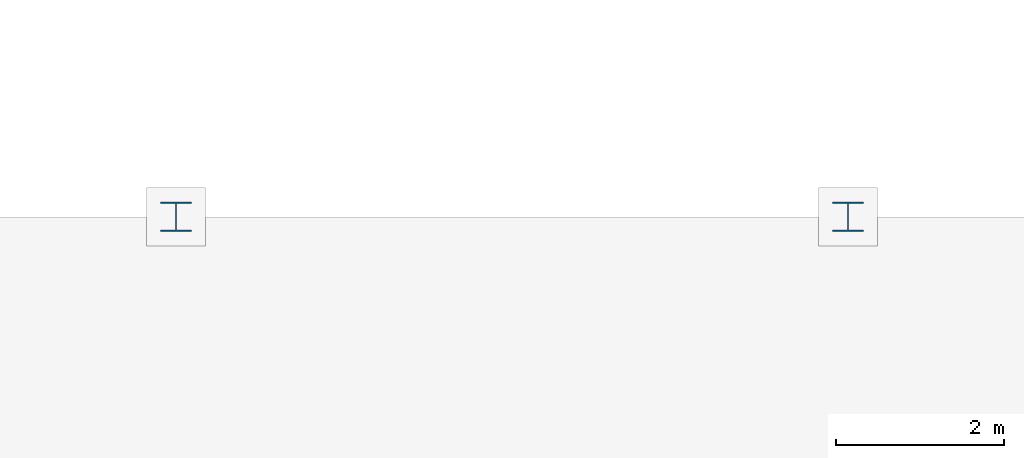
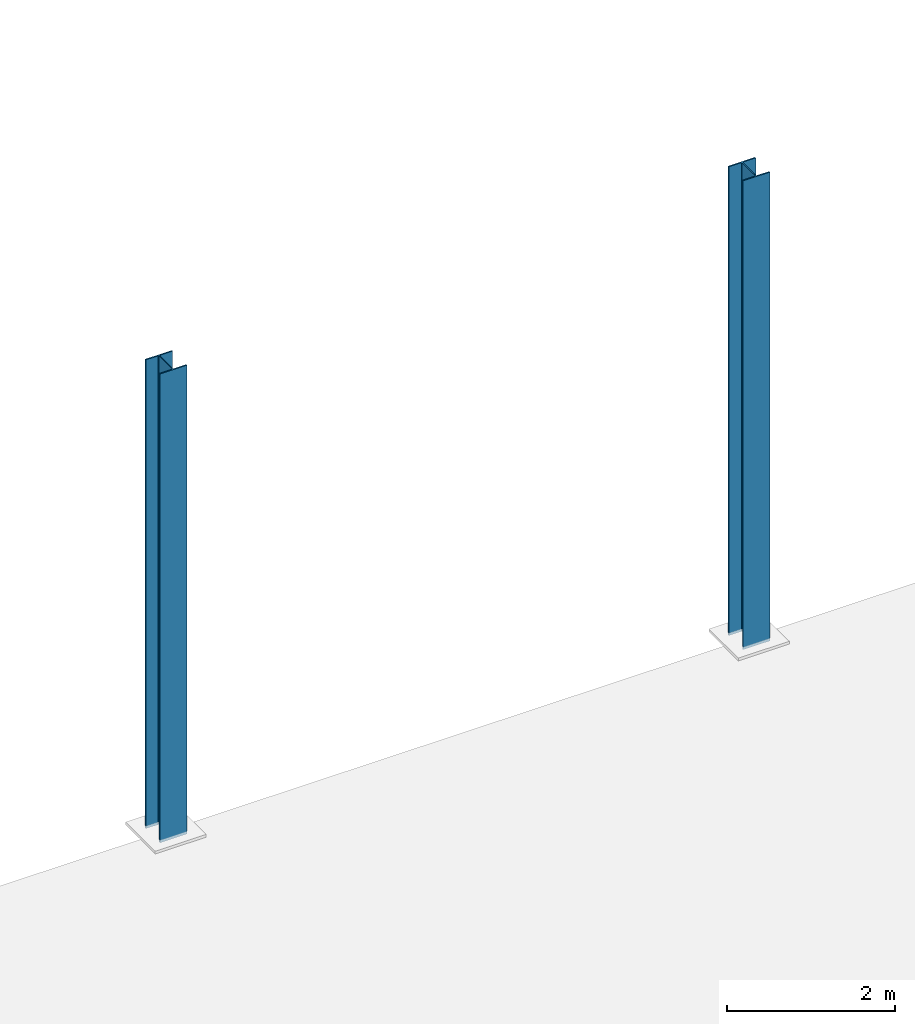
# One storey, part 16 of 140: 2 columns.
"""IFC4 building model written with IfcOpenShell, lengths in metres."""

from ifc_helpers import new_model, si_unit, direction, frame, origin, origin_2d, place, context, subcontext, project, spatial, i_section, extrude, material, material_profile, profile_set, type_object, element, save


model = new_model("IFC4")

# Units and contexts
model_context = context("Model", 3, precision=1e-05, world=origin(), true_north=direction((0.0, 1.0)))
body_context = subcontext(model_context, "Body", "Model", "MODEL_VIEW")
ifc_project = project(units=[si_unit("LENGTHUNIT", "METRE"), si_unit("AREAUNIT", "SQUARE_METRE"), si_unit("VOLUMEUNIT", "CUBIC_METRE"), si_unit("PLANEANGLEUNIT", "RADIAN"), si_unit("MASSUNIT", "GRAM", prefix="KILO")], contexts=[model_context])

# Site, building, storey
site_placement = place(None, origin())
site = spatial("IfcSite", under=ifc_project, at=site_placement, CompositionType="ELEMENT")
building_placement = place(site_placement, origin())
building = spatial("IfcBuilding", under=site, at=building_placement, Name="Verrall Gate Interchange", CompositionType="ELEMENT")
storey_placement = place(building_placement, origin())
storey = spatial("IfcBuildingStorey", under=building, at=storey_placement, Name="L01", CompositionType="ELEMENT", Elevation=0.0)

# Columns
ifc_material = material(Name="Structural Steel CSA G40.21 350W", Category="steel")
ifc_material_profile = material_profile(ifc_material, i_section(OverallWidth=0.368896484375, OverallDepth=0.35595703125, WebThickness=0.01123046875, FlangeThickness=0.01806640625, FilletRadius=0.014892578125, at=origin_2d()), Name="W360x134")
ifc_profile_set = profile_set([ifc_material_profile], Name="Structural Steel CSA G40.21 350W")
column_type = type_object("IfcColumnType", Name="C-08 Column W360x134", PredefinedType="COLUMN", material=ifc_profile_set)
for number, where, z_axis, x_axis, name in (
    (1, (116.0, 104.0, 0.0), (0.0, 0.0, 1.0), (1.0, 0.0, 0.0), "Bus Concourse Steel Column 1630"),
    (2, (124.0, 104.0, 0.0), (0.0, 0.0, 1.0), (1.0, 0.0, 0.0), "Bus Concourse Steel Column 1632"),
):
    element("IfcColumn", number, at=place(storey_placement, frame(where, z_axis=z_axis, x_axis=x_axis)), inside=storey, type_object=column_type, Name=name, PredefinedType="COLUMN", context=body_context, shape_type="SweptSolid", body=[
        extrude(i_section(OverallWidth=0.368896484375, OverallDepth=0.35595703125, WebThickness=0.01123046875, FlangeThickness=0.01806640625, FilletRadius=0.014892578125, at=origin_2d()), origin(), (0.0, 0.0, 1.0), 6.800048828125),
    ])

save(model, "model.ifc")
